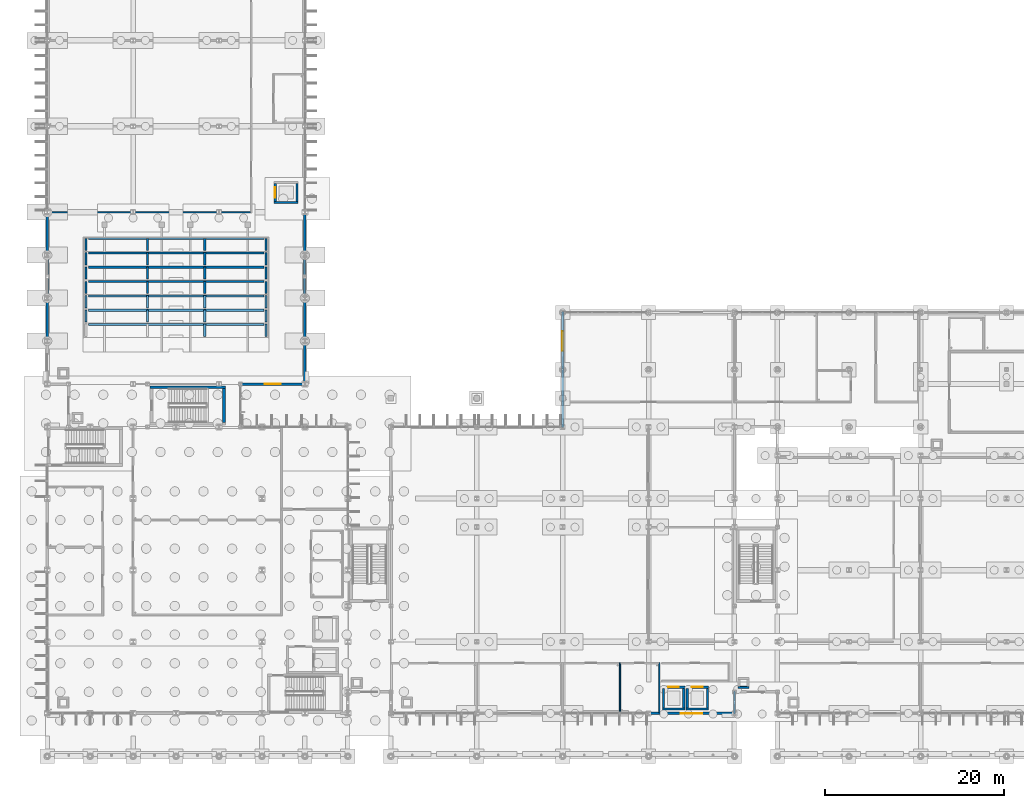
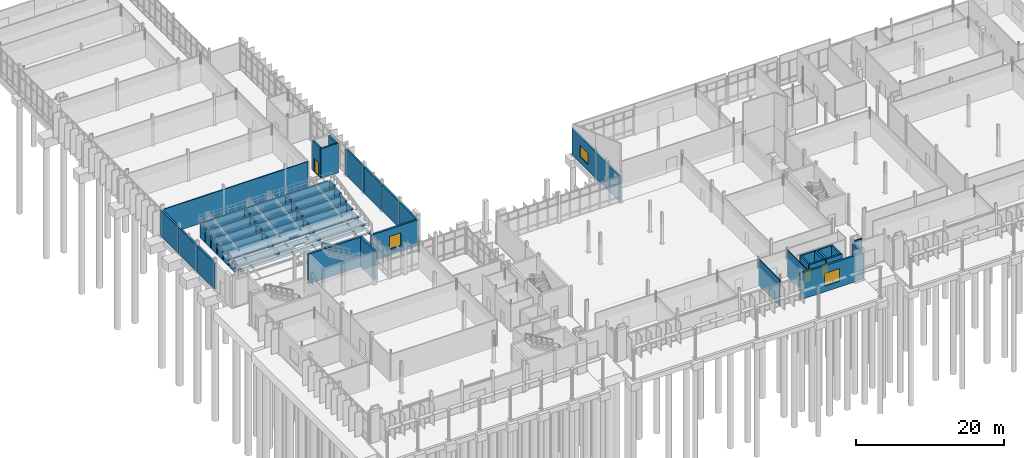
# One storey, part 60 of 111: 62 walls, 3 doors, 3 windows, 6 openings.
"""IFC4 building model written with IfcOpenShell, lengths in metres."""

from ifc_helpers import new_model, si_unit, direction, frame, frame_2d, origin, place, context, subcontext, project, spatial, rectangle, extrude, material, layer, layer_set, type_object, element, fill, save


model = new_model("IFC4")

# Units and contexts
model_context = context("Model", 3, precision=1e-05, world=origin(), true_north=direction((0.0, 1.0)))
body_context = subcontext(model_context, "Body", "Model", "MODEL_VIEW")
ifc_project = project(units=[si_unit("LENGTHUNIT", "METRE"), si_unit("AREAUNIT", "SQUARE_METRE"), si_unit("VOLUMEUNIT", "CUBIC_METRE"), si_unit("PLANEANGLEUNIT", "RADIAN"), si_unit("MASSUNIT", "GRAM", prefix="KILO")], contexts=[model_context])

# Site, building, storey
site_placement = place(None, origin())
site = spatial("IfcSite", under=ifc_project, at=site_placement, CompositionType="ELEMENT")
building_placement = place(site_placement, origin())
building = spatial("IfcBuilding", under=site, at=building_placement, Name="Dunescarp Central Library", CompositionType="ELEMENT")
storey_placement = place(building_placement, origin())
storey = spatial("IfcBuildingStorey", under=building, at=storey_placement, Name="L00", CompositionType="ELEMENT", Elevation=0.0)

# Walls
ifc_material_1 = material(Name="Gypsum plasterboard acoustic partition")
ifc_layer_1 = layer(ifc_material_1, 0.14990234375)
ifc_layer_set_1 = layer_set([ifc_layer_1], Name="Gypsum plasterboard acoustic partition")
wall_type_1 = type_object("IfcWallType", Name="ARC-PT-AC150", PredefinedType="PARTITIONING", material=ifc_layer_set_1)
wall_1_placement = place(storey_placement, frame((0.0400390625, 60.800048828125, 0.0), z_axis=(0.0, 0.0, 1.0), x_axis=(1.0, 0.0, 0.0)))
element("IfcWall", 1, at=wall_1_placement, inside=storey, type_object=wall_type_1, Name="L00 partition PT-L00-0325", PredefinedType="PARTITIONING", context=body_context, shape_type="SweptSolid", body=[
    extrude(rectangle(XDim=22.68505859375, YDim=0.14990234375, at=frame_2d((11.342529296875, 0.0))), origin(), (0.0, 0.0, 1.0), 4.322021484375),
])
ifc_material_2 = material(Name="Autoclaved aerated concrete block", Category="concrete")
ifc_layer_2 = layer(ifc_material_2, 0.139892578125)
ifc_layer_set_2 = layer_set([ifc_layer_2], Name="Autoclaved aerated concrete block")
wall_type_2 = type_object("IfcWallType", Name="ARC-PT-WET140", PredefinedType="PARTITIONING", material=ifc_layer_set_2)
for number, where, z_axis, x_axis, name in (
    (2, (64.0, 4.840087890625, 0.0), (0.0, 0.0, 1.0), (0.0, 1.0, 0.0), "L00 partition PT-L00-0148"),
    (3, (68.39990234375, 4.840087890625, 0.0), (0.0, 0.0, 1.0), (0.0, 1.0, 0.0), "L00 partition PT-L00-0149"),
):
    element("IfcWall", number, at=place(storey_placement, frame(where, z_axis=z_axis, x_axis=x_axis)), inside=storey, type_object=wall_type_2, Name=name, PredefinedType="PARTITIONING", context=body_context, shape_type="SweptSolid", body=[
        extrude(rectangle(XDim=5.6298828125, YDim=0.139892578125, at=frame_2d((2.81494140625, 0.0))), origin(), (0.0, 0.0, 1.0), 4.31494140625),
    ])
ifc_material_3 = material(Name="Glass-fibre reinforced concrete GRC", Category="concrete")
ifc_layer_3 = layer(ifc_material_3, 0.260009765625)
ifc_layer_set_3 = layer_set([ifc_layer_3], Name="Glass-fibre reinforced concrete GRC")
wall_type_3 = type_object("IfcWallType", Name="ARC-WL-GRC260", PredefinedType="SOLIDWALL", material=ifc_layer_set_3)
wall_2_placement = place(storey_placement, frame((76.800048828125, 7.284912109375, 0.0), z_axis=(0.0, 0.0, 1.0), x_axis=(0.0, -1.0, 0.0)))
element("IfcWall", 4, at=wall_2_placement, inside=storey, type_object=wall_type_3, Name="L00 external wall EW-V2-035", PredefinedType="SOLIDWALL", context=body_context, shape_type="SweptSolid", body=[
    extrude(rectangle(XDim=2.56982421875, YDim=0.260009765625, at=frame_2d((1.284912109375, 0.0))), origin(), (0.0, 0.0, 1.0), 4.31494140625),
])
wall_3_placement = place(storey_placement, frame((57.60009765625, 36.715087890625, 0.0), z_axis=(0.0, 0.0, 1.0), x_axis=(0.0, 1.0, 0.0)))
element("IfcWall", 5, at=wall_3_placement, inside=storey, type_object=wall_type_3, Name="L00 external wall EW-CLN-182", PredefinedType="SOLIDWALL", context=body_context, shape_type="SweptSolid", body=[
    extrude(rectangle(XDim=6.56982421875, YDim=0.260009765625, at=frame_2d((3.284912109375, 0.0))), origin(), (0.0, 0.0, 1.0), 4.31494140625),
])

# Wall, opening, window
wall_4_placement = place(storey_placement, frame((57.60009765625, 43.114990234375, 0.0), z_axis=(0.0, 0.0, 1.0), x_axis=(0.0, 1.0, 0.0)))
wall_4 = element("IfcWall", 6, at=wall_4_placement, inside=storey, type_object=wall_type_3, Name="L00 external wall EW-CLN-183", PredefinedType="SOLIDWALL", context=body_context, shape_type="SweptSolid", body=[
    extrude(rectangle(XDim=6.570068359375, YDim=0.260009765625, at=frame_2d((3.28515625, 0.0))), origin(), (0.0, 0.0, 1.0), 4.3720703125),
])
opening_1_placement = place(wall_4_placement, frame((2.18505859375, 0.0, 1.0)))
opening_1 = element("IfcOpeningElement", 7, at=opening_1_placement, cuts=wall_4, Name="Opening WN-054", PredefinedType="OPENING", context=body_context, shape_type="SweptSolid", body=[
    extrude(rectangle(XDim=2.199951171875, YDim=1.89990234375, at=frame_2d((1.10009765625, 0.949951171875))), frame((0.0, 0.14013671875, 0.0), z_axis=(0.0, -1.0, 0.0), x_axis=(1.0, 0.0, 0.0)), (0.0, 0.0, 1.0), 0.280029296875),
])
ifc_material_4 = material(Name="Solar-control laminated double glazing", Category="glass")
window_type_1 = type_object("IfcWindowType", Name="ARC-WN-2200X1900", PartitioningType="SINGLE_PANEL", PredefinedType="WINDOW", material=ifc_material_4)
window_1_placement = place(opening_1_placement, origin())
window_1 = element("IfcWindow", 8, at=window_1_placement, inside=storey, type_object=window_type_1, Name="L00 window WN-054", OverallHeight=1.89990234375, OverallWidth=2.199951171875, PartitioningType="SINGLE_PANEL", PredefinedType="WINDOW", context=body_context, shape_type="SweptSolid", body=[
    extrude(rectangle(XDim=2.199951171875, YDim=1.89990234375, at=frame_2d((1.10009765625, 0.949951171875))), frame((0.0, 0.030029296875, 0.0), z_axis=(0.0, -1.0, 0.0), x_axis=(1.0, 0.0, 0.0)), (0.0, 0.0, 1.0), 0.06005859375),
])
fill(opening_1, window_1)

ifc_layer_4 = layer(ifc_material_3, 0.280029296875)
ifc_layer_set_4 = layer_set([ifc_layer_4], Name="Glass-fibre reinforced concrete GRC")
wall_type_4 = type_object("IfcWallType", Name="ARC-WL-GRC280", PredefinedType="SOLIDWALL", material=ifc_layer_set_4)
wall_5_placement = place(storey_placement, frame((76.885009765625, 4.800048828125, 0.0), z_axis=(0.0, 0.0, 1.0), x_axis=(-1.0, 0.0, 0.0)))
wall_5 = element("IfcWall", 9, at=wall_5_placement, inside=storey, type_object=wall_type_4, Name="L00 external wall EW-V2-032", PredefinedType="SOLIDWALL", context=body_context, shape_type="SweptSolid", body=[
    extrude(rectangle(XDim=9.77001953125, YDim=0.280029296875, at=frame_2d((4.885009765625, 0.0))), origin(), (0.0, 0.0, 1.0), 4.31494140625),
])
opening_2_placement = place(wall_5_placement, frame((3.68505859375, 0.0, 0.949951171875)))
opening_2 = element("IfcOpeningElement", 10, at=opening_2_placement, cuts=wall_5, Name="Opening WN-008", PredefinedType="OPENING", context=body_context, shape_type="SweptSolid", body=[
    extrude(rectangle(XDim=2.39990234375, YDim=2.10009765625, at=frame_2d((1.199951171875, 1.050048828125))), frame((0.0, 0.14990234375, 0.0), z_axis=(0.0, -1.0, 0.0), x_axis=(1.0, 0.0, 0.0)), (0.0, 0.0, 1.0), 0.300048828125),
])
window_type_2 = type_object("IfcWindowType", Name="ARC-WN-2400X2100", PartitioningType="SINGLE_PANEL", PredefinedType="WINDOW", material=ifc_material_4)
window_2_placement = place(opening_2_placement, origin())
window_2 = element("IfcWindow", 11, at=window_2_placement, inside=storey, type_object=window_type_2, Name="L00 window WN-008", OverallHeight=2.10009765625, OverallWidth=2.39990234375, PartitioningType="SINGLE_PANEL", PredefinedType="WINDOW", context=body_context, shape_type="SweptSolid", body=[
    extrude(rectangle(XDim=2.39990234375, YDim=2.10009765625, at=frame_2d((1.199951171875, 1.050048828125))), frame((0.0, 0.030029296875, 0.0), z_axis=(0.0, -1.0, 0.0), x_axis=(1.0, 0.0, 0.0)), (0.0, 0.0, 1.0), 0.06005859375),
])
fill(opening_2, window_2)

wall_6_placement = place(storey_placement, frame((28.885009765625, 41.60009765625, 0.0), z_axis=(0.0, 0.0, 1.0), x_axis=(-1.0, 0.0, 0.0)))
wall_6 = element("IfcWall", 12, at=wall_6_placement, inside=storey, type_object=wall_type_4, Name="L00 external wall EW-V4-105", PredefinedType="SOLIDWALL", context=body_context, shape_type="SweptSolid", body=[
    extrude(rectangle(XDim=7.3701171875, YDim=0.280029296875, at=frame_2d((3.68505859375, 0.0))), origin(), (0.0, 0.0, 1.0), 4.322021484375),
])
opening_3_placement = place(wall_6_placement, frame((2.784912109375, 0.0, 1.0)))
opening_3 = element("IfcOpeningElement", 13, at=opening_3_placement, cuts=wall_6, Name="Opening WN-V4S-L00", PredefinedType="OPENING", context=body_context, shape_type="SweptSolid", body=[
    extrude(rectangle(XDim=1.800048828125, YDim=2.10009765625, at=frame_2d((0.89990234375, 1.050048828125))), frame((0.0, 0.14990234375, 0.0), z_axis=(0.0, -1.0, 0.0), x_axis=(1.0, 0.0, 0.0)), (0.0, 0.0, 1.0), 0.300048828125),
])
window_type_3 = type_object("IfcWindowType", Name="ARC-WN-1800X2100", PartitioningType="SINGLE_PANEL", PredefinedType="WINDOW", material=ifc_material_4)
window_3_placement = place(opening_3_placement, origin())
window_3 = element("IfcWindow", 14, at=window_3_placement, inside=storey, type_object=window_type_3, Name="L00 window WN-V4S-L00", OverallHeight=2.10009765625, OverallWidth=1.800048828125, PartitioningType="SINGLE_PANEL", PredefinedType="WINDOW", context=body_context, shape_type="SweptSolid", body=[
    extrude(rectangle(XDim=1.800048828125, YDim=2.10009765625, at=frame_2d((0.89990234375, 1.050048828125))), frame((0.0, 0.030029296875, 0.0), z_axis=(0.0, -1.0, 0.0), x_axis=(1.0, 0.0, 0.0)), (0.0, 0.0, 1.0), 0.06005859375),
])
fill(opening_3, window_3)

# Walls
wall_7_placement = place(storey_placement, frame((28.800048828125, 46.485107421875, 0.0), z_axis=(0.0, 0.0, 1.0), x_axis=(0.0, -1.0, 0.0)))
element("IfcWall", 15, at=wall_7_placement, inside=storey, type_object=wall_type_4, Name="L00 external wall EW-V4-107", PredefinedType="SOLIDWALL", context=body_context, shape_type="SweptSolid", body=[
    extrude(rectangle(XDim=4.97021484375, YDim=0.280029296875, at=frame_2d((2.485107421875, 0.0))), origin(), (0.0, 0.0, 1.0), 4.322021484375),
])
for number, where, z_axis, x_axis, name in (
    (16, (0.0, 46.31494140625, 0.0), (0.0, 0.0, 1.0), (0.0, 1.0, 0.0), "L00 external wall EW-V4-108"),
    (17, (28.800048828125, 51.284912109375, 0.0), (0.0, 0.0, 1.0), (0.0, -1.0, 0.0), "L00 external wall EW-V4-109"),
    (18, (0.0, 51.114990234375, 0.0), (0.0, 0.0, 1.0), (0.0, 1.0, 0.0), "L00 external wall EW-V4-110"),
    (19, (28.800048828125, 56.0849609375, 0.0), (0.0, 0.0, 1.0), (0.0, -1.0, 0.0), "L00 external wall EW-V4-111"),
    (20, (0.0, 55.9150390625, 0.0), (0.0, 0.0, 1.0), (0.0, 1.0, 0.0), "L00 external wall EW-V4-112"),
    (21, (28.800048828125, 60.885009765625, 0.0), (0.0, 0.0, 1.0), (0.0, -1.0, 0.0), "L00 external wall EW-V4-113"),
):
    element("IfcWall", number, at=place(storey_placement, frame(where, z_axis=z_axis, x_axis=x_axis)), inside=storey, type_object=wall_type_4, Name=name, PredefinedType="SOLIDWALL", context=body_context, shape_type="SweptSolid", body=[
        extrude(rectangle(XDim=4.969970703125, YDim=0.280029296875, at=frame_2d((2.48486328125, 0.0))), origin(), (0.0, 0.0, 1.0), 4.322021484375),
    ])
ifc_material_5 = material(Name="Concrete C35/45", Category="concrete")
ifc_layer_5 = layer(ifc_material_5, 0.199951171875)
ifc_layer_set_5 = layer_set([ifc_layer_5], Name="Concrete C35/45")
wall_type_5 = type_object("IfcWallType", Name="ARC-WL-RISER200", PredefinedType="PARTITIONING", material=ifc_layer_set_5)
wall_8_placement = place(storey_placement, frame((78.39990234375, 7.699951171875, 0.0), z_axis=(0.0, 0.0, 1.0), x_axis=(-1.0, 0.0, 0.0)))
element("IfcWall", 22, at=wall_8_placement, inside=storey, type_object=wall_type_5, Name="L00 GL2 duct shaft wall S", PredefinedType="PARTITIONING", context=body_context, shape_type="SweptSolid", body=[
    extrude(rectangle(XDim=1.199951171875, YDim=0.199951171875, at=frame_2d((0.60009765625, 0.0))), origin(), (0.0, 0.0, 1.0), 4.3798828125),
])
ifc_material_6 = material(Name="Concrete C40/50", Category="concrete")
ifc_layer_6 = layer(ifc_material_6, 0.25)
ifc_layer_set_6 = layer_set([ifc_layer_6], Name="Concrete C40/50")
wall_type_6 = type_object("IfcWallType", Name="STR-WL-CORE250", PredefinedType="SHEAR", material=ifc_layer_set_6)
wall_9_placement = place(storey_placement, frame((71.25, 5.27490234375, 0.0), z_axis=(0.0, 0.0, 1.0), x_axis=(-1.0, 0.0, 0.0)))
element("IfcWall", 23, at=wall_9_placement, inside=storey, type_object=wall_type_6, Name="L00 PL-1 lift shaft wall S", PredefinedType="SHEAR", context=body_context, shape_type="SweptSolid", body=[
    extrude(rectangle(XDim=2.5, YDim=0.25, at=frame_2d((1.25, 0.0))), origin(), (0.0, 0.0, 1.0), 4.8798828125),
])

# Wall, opening, door
wall_10_placement = place(storey_placement, frame((68.75, 7.72509765625, 0.0), z_axis=(0.0, 0.0, 1.0), x_axis=(1.0, 0.0, 0.0)))
wall_10 = element("IfcWall", 24, at=wall_10_placement, inside=storey, type_object=wall_type_6, Name="L00 PL-1 lift shaft wall N", PredefinedType="SHEAR", context=body_context, shape_type="SweptSolid", body=[
    extrude(rectangle(XDim=2.5, YDim=0.25, at=frame_2d((1.25, 0.0))), origin(), (0.0, 0.0, 1.0), 4.8798828125),
])
opening_4_placement = place(wall_10_placement, frame((0.64990234375, 0.0, 0.0)))
opening_4 = element("IfcOpeningElement", 25, at=opening_4_placement, cuts=wall_10, Name="Opening LD-PL-1-L00", PredefinedType="OPENING", context=body_context, shape_type="SweptSolid", body=[
    extrude(rectangle(XDim=1.199951171875, YDim=2.199951171875, at=frame_2d((0.60009765625, 1.10009765625))), frame((0.0, 0.135009765625, 0.0), z_axis=(0.0, -1.0, 0.0), x_axis=(1.0, 0.0, 0.0)), (0.0, 0.0, 1.0), 0.27001953125),
])
ifc_material_7 = material(Name="Stainless steel Grade 316L", Category="steel")
door_type = type_object("IfcDoorType", Name="ARC-DR-LD1200", OperationType="DOUBLE_DOOR_SLIDING", PredefinedType="DOOR", material=ifc_material_7)
door_1_placement = place(opening_4_placement, origin())
door_1 = element("IfcDoor", 26, at=door_1_placement, inside=storey, type_object=door_type, Name="L00 PL-1 lift landing door", OperationType="DOUBLE_DOOR_SLIDING", OverallHeight=2.199951171875, OverallWidth=1.199951171875, PredefinedType="DOOR", context=body_context, shape_type="SweptSolid", body=[
    extrude(rectangle(XDim=1.199951171875, YDim=2.199951171875, at=frame_2d((0.60009765625, 1.10009765625))), frame((0.0, 0.02490234375, 0.0), z_axis=(0.0, -1.0, 0.0), x_axis=(1.0, 0.0, 0.0)), (0.0, 0.0, 1.0), 0.050048828125),
])
fill(opening_4, door_1)

# Walls
for number, where, z_axis, x_axis, name in (
    (27, (68.875, 5.39990234375, 0.0), (0.0, 0.0, 1.0), (0.0, 1.0, 0.0), "L00 PL-1 lift shaft wall W"),
    (28, (71.125, 7.60009765625, 0.0), (0.0, 0.0, 1.0), (0.0, -1.0, 0.0), "L00 PL-1 lift shaft wall E"),
):
    element("IfcWall", number, at=place(storey_placement, frame(where, z_axis=z_axis, x_axis=x_axis)), inside=storey, type_object=wall_type_6, Name=name, PredefinedType="SHEAR", context=body_context, shape_type="SweptSolid", body=[
        extrude(rectangle(XDim=2.2001953125, YDim=0.25, at=frame_2d((1.10009765625, 0.0))), origin(), (0.0, 0.0, 1.0), 4.8798828125),
    ])
wall_11_placement = place(storey_placement, frame((73.89990234375, 5.27490234375, 0.0), z_axis=(0.0, 0.0, 1.0), x_axis=(-1.0, 0.0, 0.0)))
element("IfcWall", 29, at=wall_11_placement, inside=storey, type_object=wall_type_6, Name="L00 PL-2 lift shaft wall S", PredefinedType="SHEAR", context=body_context, shape_type="SweptSolid", body=[
    extrude(rectangle(XDim=2.5, YDim=0.25, at=frame_2d((1.25, 0.0))), origin(), (0.0, 0.0, 1.0), 4.8798828125),
])

# Wall, opening, door
wall_12_placement = place(storey_placement, frame((71.39990234375, 7.72509765625, 0.0), z_axis=(0.0, 0.0, 1.0), x_axis=(1.0, 0.0, 0.0)))
wall_12 = element("IfcWall", 30, at=wall_12_placement, inside=storey, type_object=wall_type_6, Name="L00 PL-2 lift shaft wall N", PredefinedType="SHEAR", context=body_context, shape_type="SweptSolid", body=[
    extrude(rectangle(XDim=2.5, YDim=0.25, at=frame_2d((1.25, 0.0))), origin(), (0.0, 0.0, 1.0), 4.8798828125),
])
opening_5_placement = place(wall_12_placement, frame((0.64990234375, 0.0, 0.0)))
opening_5 = element("IfcOpeningElement", 31, at=opening_5_placement, cuts=wall_12, Name="Opening LD-PL-2-L00", PredefinedType="OPENING", context=body_context, shape_type="SweptSolid", body=[
    extrude(rectangle(XDim=1.199951171875, YDim=2.199951171875, at=frame_2d((0.60009765625, 1.10009765625))), frame((0.0, 0.135009765625, 0.0), z_axis=(0.0, -1.0, 0.0), x_axis=(1.0, 0.0, 0.0)), (0.0, 0.0, 1.0), 0.27001953125),
])
door_2_placement = place(opening_5_placement, origin())
door_2 = element("IfcDoor", 32, at=door_2_placement, inside=storey, type_object=door_type, Name="L00 PL-2 lift landing door", OperationType="DOUBLE_DOOR_SLIDING", OverallHeight=2.199951171875, OverallWidth=1.199951171875, PredefinedType="DOOR", context=body_context, shape_type="SweptSolid", body=[
    extrude(rectangle(XDim=1.199951171875, YDim=2.199951171875, at=frame_2d((0.60009765625, 1.10009765625))), frame((0.0, 0.02490234375, 0.0), z_axis=(0.0, -1.0, 0.0), x_axis=(1.0, 0.0, 0.0)), (0.0, 0.0, 1.0), 0.050048828125),
])
fill(opening_5, door_2)

# Walls
for number, where, z_axis, x_axis, name in (
    (33, (71.52490234375, 5.39990234375, 0.0), (0.0, 0.0, 1.0), (0.0, 1.0, 0.0), "L00 PL-2 lift shaft wall W"),
    (34, (73.77490234375, 7.60009765625, 0.0), (0.0, 0.0, 1.0), (0.0, -1.0, 0.0), "L00 PL-2 lift shaft wall E"),
):
    element("IfcWall", number, at=place(storey_placement, frame(where, z_axis=z_axis, x_axis=x_axis)), inside=storey, type_object=wall_type_6, Name=name, PredefinedType="SHEAR", context=body_context, shape_type="SweptSolid", body=[
        extrude(rectangle(XDim=2.2001953125, YDim=0.25, at=frame_2d((1.10009765625, 0.0))), origin(), (0.0, 0.0, 1.0), 4.8798828125),
    ])
wall_13_placement = place(storey_placement, frame((28.050048828125, 61.875, 0.0), z_axis=(0.0, 0.0, 1.0), x_axis=(-1.0, 0.0, 0.0)))
element("IfcWall", 35, at=wall_13_placement, inside=storey, type_object=wall_type_6, Name="L00 PL-4 lift shaft wall S", PredefinedType="SHEAR", context=body_context, shape_type="SweptSolid", body=[
    extrude(rectangle(XDim=2.699951171875, YDim=0.25, at=frame_2d((1.35009765625, 0.0))), origin(), (0.0, 0.0, 1.0), 4.8798828125),
])

# Wall, opening, door
wall_14_placement = place(storey_placement, frame((25.47509765625, 62.0, 0.0), z_axis=(0.0, 0.0, 1.0), x_axis=(0.0, 1.0, 0.0)))
wall_14 = element("IfcWall", 36, at=wall_14_placement, inside=storey, type_object=wall_type_6, Name="L00 PL-4 lift shaft wall W", PredefinedType="SHEAR", context=body_context, shape_type="SweptSolid", body=[
    extrude(rectangle(XDim=2.0, YDim=0.25, at=frame_2d((1.0, 0.0))), origin(), (0.0, 0.0, 1.0), 4.8798828125),
])
opening_6_placement = place(wall_14_placement, frame((0.39990234375, 0.0, 0.0)))
opening_6 = element("IfcOpeningElement", 37, at=opening_6_placement, cuts=wall_14, Name="Opening LD-PL-4-L00", PredefinedType="OPENING", context=body_context, shape_type="SweptSolid", body=[
    extrude(rectangle(XDim=1.199951171875, YDim=2.199951171875, at=frame_2d((0.60009765625, 1.10009765625))), frame((0.0, 0.135009765625, 0.0), z_axis=(0.0, -1.0, 0.0), x_axis=(1.0, 0.0, 0.0)), (0.0, 0.0, 1.0), 0.27001953125),
])
door_3_placement = place(opening_6_placement, origin())
door_3 = element("IfcDoor", 38, at=door_3_placement, inside=storey, type_object=door_type, Name="L00 PL-4 lift landing door", OperationType="DOUBLE_DOOR_SLIDING", OverallHeight=2.199951171875, OverallWidth=1.199951171875, PredefinedType="DOOR", context=body_context, shape_type="SweptSolid", body=[
    extrude(rectangle(XDim=1.199951171875, YDim=2.199951171875, at=frame_2d((0.60009765625, 1.10009765625))), frame((0.0, 0.02490234375, 0.0), z_axis=(0.0, -1.0, 0.0), x_axis=(1.0, 0.0, 0.0)), (0.0, 0.0, 1.0), 0.050048828125),
])
fill(opening_6, door_3)

# Walls
wall_15_placement = place(storey_placement, frame((27.925048828125, 64.0, 0.0), z_axis=(0.0, 0.0, 1.0), x_axis=(0.0, -1.0, 0.0)))
element("IfcWall", 39, at=wall_15_placement, inside=storey, type_object=wall_type_6, Name="L00 PL-4 lift shaft wall E", PredefinedType="SHEAR", context=body_context, shape_type="SweptSolid", body=[
    extrude(rectangle(XDim=2.0, YDim=0.25, at=frame_2d((1.0, 0.0))), origin(), (0.0, 0.0, 1.0), 4.8798828125),
])
ifc_layer_7 = layer(ifc_material_6, 0.300048828125)
ifc_layer_set_7 = layer_set([ifc_layer_7], Name="Concrete C40/50")
wall_type_7 = type_object("IfcWallType", Name="STR-WL-CORE300", PredefinedType="SHEAR", material=ifc_layer_set_7)
wall_16_placement = place(storey_placement, frame((11.5, 41.25, 0.0), z_axis=(0.0, 0.0, 1.0), x_axis=(1.0, 0.0, 0.0)))
element("IfcWall", 40, at=wall_16_placement, inside=storey, type_object=wall_type_7, Name="L00 ST-4 north core wall", PredefinedType="SHEAR", context=body_context, shape_type="SweptSolid", body=[
    extrude(rectangle(XDim=8.39990234375, YDim=0.300048828125, at=frame_2d((4.199951171875, 0.0))), origin(), (0.0, 0.0, 1.0), 4.8798828125),
])
wall_17_placement = place(storey_placement, frame((19.75, 41.10009765625, 0.0), z_axis=(0.0, 0.0, 1.0), x_axis=(0.0, -1.0, 0.0)))
element("IfcWall", 41, at=wall_17_placement, inside=storey, type_object=wall_type_7, Name="L00 ST-4 east core wall", PredefinedType="SHEAR", context=body_context, shape_type="SweptSolid", body=[
    extrude(rectangle(XDim=3.800048828125, YDim=0.300048828125, at=frame_2d((1.89990234375, 0.0))), origin(), (0.0, 0.0, 1.0), 4.8798828125),
])
ifc_layer_8 = layer(ifc_material_6, 0.239990234375)
ifc_layer_set_8 = layer_set([ifc_layer_8], Name="Concrete C40/50")
wall_type_8 = type_object("IfcWallType", Name="STR-WL-RAKER240", PredefinedType="SHEAR", material=ifc_layer_set_8)
for number, where, z_axis, x_axis, name in (
    (42, (17.60009765625, 46.919921875, 0.0), (0.0, 0.0, 1.0), (0.0, 1.0, 0.0), "Auditorium tier raker wall SW-TIER-003"),
    (43, (24.449951171875, 46.919921875, 0.0), (0.0, 0.0, 1.0), (0.0, 1.0, 0.0), "Auditorium tier raker wall SW-TIER-004"),
):
    element("IfcWall", number, at=place(storey_placement, frame(where, z_axis=z_axis, x_axis=x_axis)), inside=storey, type_object=wall_type_8, Name=name, PredefinedType="SHEAR", context=body_context, shape_type="SweptSolid", body=[
        extrude(rectangle(XDim=1.360107421875, YDim=0.239990234375, at=frame_2d((0.68017578125, 0.0))), origin(), (0.0, 0.0, 1.0), 0.489990234375),
    ])
wall_18_placement = place(storey_placement, frame((4.60009765625, 48.25, 0.0), z_axis=(0.0, 0.0, 1.0), x_axis=(1.0, 0.0, 0.0)))
element("IfcWall", 44, at=wall_18_placement, inside=storey, type_object=wall_type_8, Name="Auditorium tier riser wall SW-TIER-005", PredefinedType="SHEAR", context=body_context, shape_type="SweptSolid", body=[
    extrude(rectangle(XDim=19.599853515625, YDim=0.239990234375, at=frame_2d((9.7998046875, 0.0))), origin(), (0.0, 0.0, 1.0), 0.489990234375),
])
for number, where, z_axis, x_axis, name in (
    (45, (4.35009765625, 48.52001953125, 0.0), (0.0, 0.0, 1.0), (0.0, 1.0, 0.0), "Auditorium tier raker wall SW-TIER-006"),
    (46, (11.199951171875, 48.52001953125, 0.0), (0.0, 0.0, 1.0), (0.0, 1.0, 0.0), "Auditorium tier raker wall SW-TIER-007"),
    (47, (17.60009765625, 48.52001953125, 0.0), (0.0, 0.0, 1.0), (0.0, 1.0, 0.0), "Auditorium tier raker wall SW-TIER-008"),
    (48, (24.449951171875, 48.52001953125, 0.0), (0.0, 0.0, 1.0), (0.0, 1.0, 0.0), "Auditorium tier raker wall SW-TIER-009"),
):
    element("IfcWall", number, at=place(storey_placement, frame(where, z_axis=z_axis, x_axis=x_axis)), inside=storey, type_object=wall_type_8, Name=name, PredefinedType="SHEAR", context=body_context, shape_type="SweptSolid", body=[
        extrude(rectangle(XDim=1.35986328125, YDim=0.239990234375, at=frame_2d((0.679931640625, 0.0))), origin(), (0.0, 0.0, 1.0), 0.81005859375),
    ])
wall_19_placement = place(storey_placement, frame((4.60009765625, 49.85009765625, 0.0), z_axis=(0.0, 0.0, 1.0), x_axis=(1.0, 0.0, 0.0)))
element("IfcWall", 49, at=wall_19_placement, inside=storey, type_object=wall_type_8, Name="Auditorium tier riser wall SW-TIER-010", PredefinedType="SHEAR", context=body_context, shape_type="SweptSolid", body=[
    extrude(rectangle(XDim=19.599853515625, YDim=0.239990234375, at=frame_2d((9.7998046875, 0.0))), origin(), (0.0, 0.0, 1.0), 0.81005859375),
])
for number, where, z_axis, x_axis, name in (
    (50, (4.35009765625, 50.1201171875, 0.0), (0.0, 0.0, 1.0), (0.0, 1.0, 0.0), "Auditorium tier raker wall SW-TIER-011"),
    (51, (11.199951171875, 50.1201171875, 0.0), (0.0, 0.0, 1.0), (0.0, 1.0, 0.0), "Auditorium tier raker wall SW-TIER-012"),
    (52, (17.60009765625, 50.1201171875, 0.0), (0.0, 0.0, 1.0), (0.0, 1.0, 0.0), "Auditorium tier raker wall SW-TIER-013"),
    (53, (24.449951171875, 50.1201171875, 0.0), (0.0, 0.0, 1.0), (0.0, 1.0, 0.0), "Auditorium tier raker wall SW-TIER-014"),
):
    element("IfcWall", number, at=place(storey_placement, frame(where, z_axis=z_axis, x_axis=x_axis)), inside=storey, type_object=wall_type_8, Name=name, PredefinedType="SHEAR", context=body_context, shape_type="SweptSolid", body=[
        extrude(rectangle(XDim=1.35986328125, YDim=0.239990234375, at=frame_2d((0.679931640625, 0.0))), origin(), (0.0, 0.0, 1.0), 1.1298828125),
    ])
wall_20_placement = place(storey_placement, frame((4.60009765625, 51.449951171875, 0.0), z_axis=(0.0, 0.0, 1.0), x_axis=(1.0, 0.0, 0.0)))
element("IfcWall", 54, at=wall_20_placement, inside=storey, type_object=wall_type_8, Name="Auditorium tier riser wall SW-TIER-015", PredefinedType="SHEAR", context=body_context, shape_type="SweptSolid", body=[
    extrude(rectangle(XDim=19.599853515625, YDim=0.239990234375, at=frame_2d((9.7998046875, 0.0))), origin(), (0.0, 0.0, 1.0), 1.1298828125),
])
for number, where, z_axis, x_axis, name in (
    (55, (4.35009765625, 51.719970703125, 0.0), (0.0, 0.0, 1.0), (0.0, 1.0, 0.0), "Auditorium tier raker wall SW-TIER-016"),
    (56, (11.199951171875, 51.719970703125, 0.0), (0.0, 0.0, 1.0), (0.0, 1.0, 0.0), "Auditorium tier raker wall SW-TIER-017"),
    (57, (17.60009765625, 51.719970703125, 0.0), (0.0, 0.0, 1.0), (0.0, 1.0, 0.0), "Auditorium tier raker wall SW-TIER-018"),
    (58, (24.449951171875, 51.719970703125, 0.0), (0.0, 0.0, 1.0), (0.0, 1.0, 0.0), "Auditorium tier raker wall SW-TIER-019"),
):
    element("IfcWall", number, at=place(storey_placement, frame(where, z_axis=z_axis, x_axis=x_axis)), inside=storey, type_object=wall_type_8, Name=name, PredefinedType="SHEAR", context=body_context, shape_type="SweptSolid", body=[
        extrude(rectangle(XDim=1.360107421875, YDim=0.239990234375, at=frame_2d((0.68017578125, 0.0))), origin(), (0.0, 0.0, 1.0), 1.449951171875),
    ])
wall_21_placement = place(storey_placement, frame((4.60009765625, 53.050048828125, 0.0), z_axis=(0.0, 0.0, 1.0), x_axis=(1.0, 0.0, 0.0)))
element("IfcWall", 59, at=wall_21_placement, inside=storey, type_object=wall_type_8, Name="Auditorium tier riser wall SW-TIER-020", PredefinedType="SHEAR", context=body_context, shape_type="SweptSolid", body=[
    extrude(rectangle(XDim=19.599853515625, YDim=0.239990234375, at=frame_2d((9.7998046875, 0.0))), origin(), (0.0, 0.0, 1.0), 1.449951171875),
])
for number, where, z_axis, x_axis, name in (
    (60, (4.35009765625, 53.320068359375, 0.0), (0.0, 0.0, 1.0), (0.0, 1.0, 0.0), "Auditorium tier raker wall SW-TIER-021"),
    (61, (11.199951171875, 53.320068359375, 0.0), (0.0, 0.0, 1.0), (0.0, 1.0, 0.0), "Auditorium tier raker wall SW-TIER-022"),
    (62, (17.60009765625, 53.320068359375, 0.0), (0.0, 0.0, 1.0), (0.0, 1.0, 0.0), "Auditorium tier raker wall SW-TIER-023"),
    (63, (24.449951171875, 53.320068359375, 0.0), (0.0, 0.0, 1.0), (0.0, 1.0, 0.0), "Auditorium tier raker wall SW-TIER-024"),
):
    element("IfcWall", number, at=place(storey_placement, frame(where, z_axis=z_axis, x_axis=x_axis)), inside=storey, type_object=wall_type_8, Name=name, PredefinedType="SHEAR", context=body_context, shape_type="SweptSolid", body=[
        extrude(rectangle(XDim=1.35986328125, YDim=0.239990234375, at=frame_2d((0.679931640625, 0.0))), origin(), (0.0, 0.0, 1.0), 1.77001953125),
    ])
wall_22_placement = place(storey_placement, frame((4.60009765625, 54.64990234375, 0.0), z_axis=(0.0, 0.0, 1.0), x_axis=(1.0, 0.0, 0.0)))
element("IfcWall", 64, at=wall_22_placement, inside=storey, type_object=wall_type_8, Name="Auditorium tier riser wall SW-TIER-025", PredefinedType="SHEAR", context=body_context, shape_type="SweptSolid", body=[
    extrude(rectangle(XDim=19.599853515625, YDim=0.239990234375, at=frame_2d((9.7998046875, 0.0))), origin(), (0.0, 0.0, 1.0), 1.77001953125),
])
for number, where, z_axis, x_axis, name in (
    (65, (4.35009765625, 54.919921875, 0.0), (0.0, 0.0, 1.0), (0.0, 1.0, 0.0), "Auditorium tier raker wall SW-TIER-026"),
    (66, (11.199951171875, 54.919921875, 0.0), (0.0, 0.0, 1.0), (0.0, 1.0, 0.0), "Auditorium tier raker wall SW-TIER-027"),
    (67, (17.60009765625, 54.919921875, 0.0), (0.0, 0.0, 1.0), (0.0, 1.0, 0.0), "Auditorium tier raker wall SW-TIER-028"),
    (68, (24.449951171875, 54.919921875, 0.0), (0.0, 0.0, 1.0), (0.0, 1.0, 0.0), "Auditorium tier raker wall SW-TIER-029"),
):
    element("IfcWall", number, at=place(storey_placement, frame(where, z_axis=z_axis, x_axis=x_axis)), inside=storey, type_object=wall_type_8, Name=name, PredefinedType="SHEAR", context=body_context, shape_type="SweptSolid", body=[
        extrude(rectangle(XDim=1.360107421875, YDim=0.239990234375, at=frame_2d((0.68017578125, 0.0))), origin(), (0.0, 0.0, 1.0), 2.090087890625),
    ])
wall_23_placement = place(storey_placement, frame((4.60009765625, 56.25, 0.0), z_axis=(0.0, 0.0, 1.0), x_axis=(1.0, 0.0, 0.0)))
element("IfcWall", 69, at=wall_23_placement, inside=storey, type_object=wall_type_8, Name="Auditorium tier riser wall SW-TIER-030", PredefinedType="SHEAR", context=body_context, shape_type="SweptSolid", body=[
    extrude(rectangle(XDim=19.599853515625, YDim=0.239990234375, at=frame_2d((9.7998046875, 0.0))), origin(), (0.0, 0.0, 1.0), 2.090087890625),
])
for number, where, z_axis, x_axis, name in (
    (70, (4.35009765625, 56.52001953125, 0.0), (0.0, 0.0, 1.0), (0.0, 1.0, 0.0), "Auditorium tier raker wall SW-TIER-031"),
    (71, (11.199951171875, 56.52001953125, 0.0), (0.0, 0.0, 1.0), (0.0, 1.0, 0.0), "Auditorium tier raker wall SW-TIER-032"),
    (72, (17.60009765625, 56.52001953125, 0.0), (0.0, 0.0, 1.0), (0.0, 1.0, 0.0), "Auditorium tier raker wall SW-TIER-033"),
    (73, (24.449951171875, 56.52001953125, 0.0), (0.0, 0.0, 1.0), (0.0, 1.0, 0.0), "Auditorium tier raker wall SW-TIER-034"),
):
    element("IfcWall", number, at=place(storey_placement, frame(where, z_axis=z_axis, x_axis=x_axis)), inside=storey, type_object=wall_type_8, Name=name, PredefinedType="SHEAR", context=body_context, shape_type="SweptSolid", body=[
        extrude(rectangle(XDim=1.35986328125, YDim=0.239990234375, at=frame_2d((0.679931640625, 0.0))), origin(), (0.0, 0.0, 1.0), 2.409912109375),
    ])
wall_24_placement = place(storey_placement, frame((4.60009765625, 57.85009765625, 0.0), z_axis=(0.0, 0.0, 1.0), x_axis=(1.0, 0.0, 0.0)))
element("IfcWall", 74, at=wall_24_placement, inside=storey, type_object=wall_type_8, Name="Auditorium tier riser wall SW-TIER-035", PredefinedType="SHEAR", context=body_context, shape_type="SweptSolid", body=[
    extrude(rectangle(XDim=19.599853515625, YDim=0.239990234375, at=frame_2d((9.7998046875, 0.0))), origin(), (0.0, 0.0, 1.0), 2.409912109375),
])

save(model, "model.ifc")
